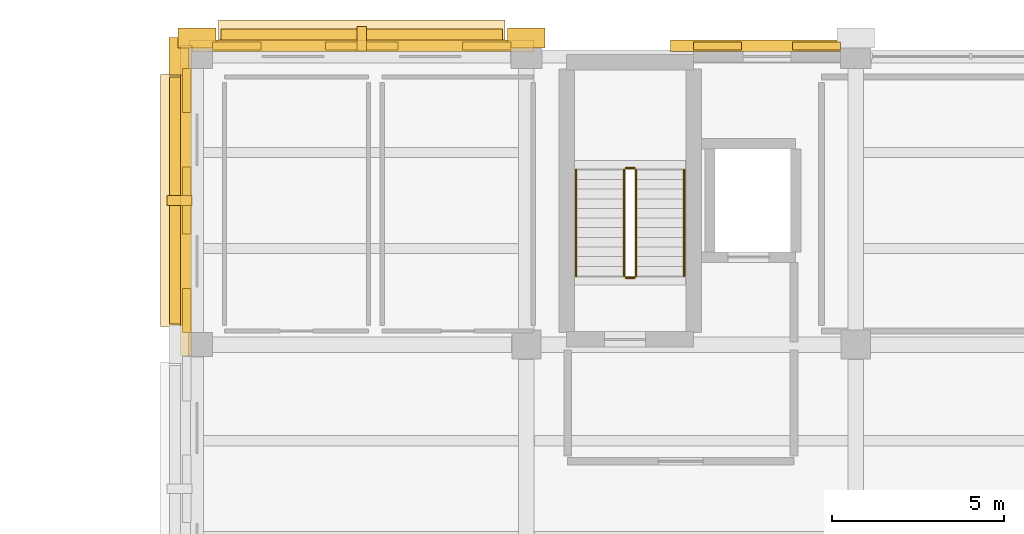
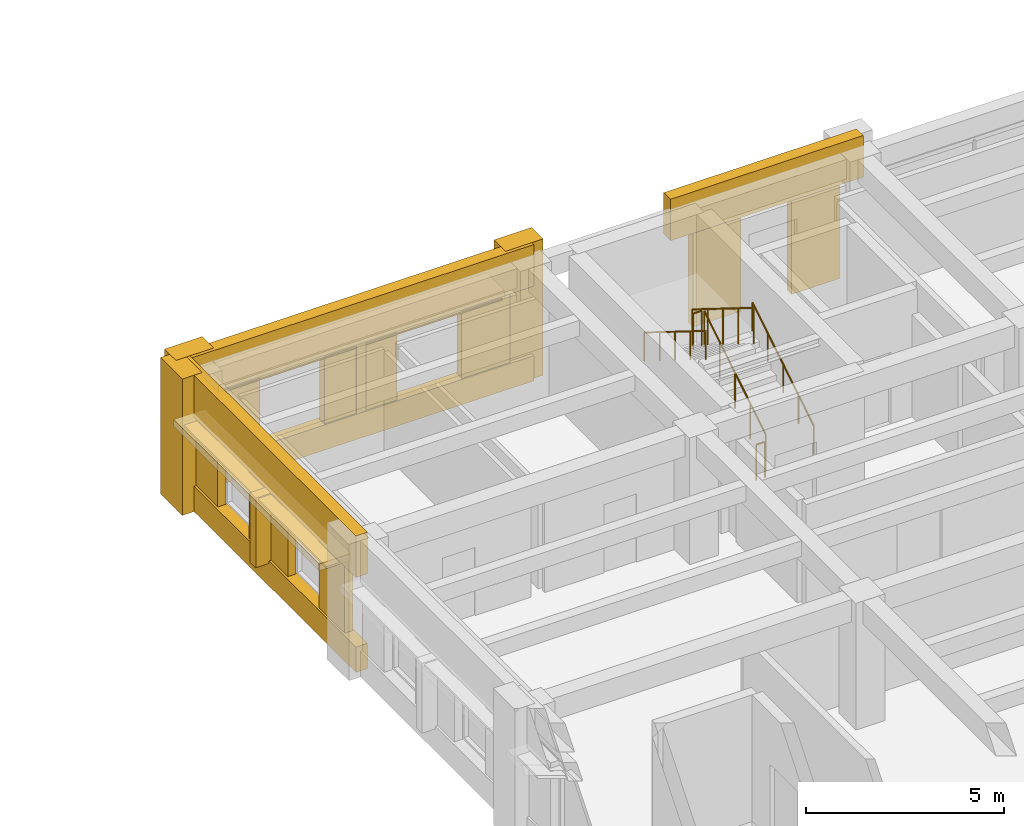
# One storey, part 68 of 71: 20 coverings, 6 railings, 2 shading devices.
"""IFC4 building model written with IfcOpenShell, lengths in metres."""

from ifc_helpers import new_model, si_unit, direction, frame, origin, origin_2d, place, context, subcontext, project, spatial, rectangle, circle, extrude, material, layer, layer_set, type_object, element, save


model = new_model("IFC4")

# Units and contexts
model_context = context("Model", 3, precision=1e-05, world=origin(), true_north=direction((0.0, 1.0)))
body_context = subcontext(model_context, "Body", "Model", "MODEL_VIEW")
ifc_project = project(units=[si_unit("LENGTHUNIT", "METRE"), si_unit("AREAUNIT", "SQUARE_METRE"), si_unit("VOLUMEUNIT", "CUBIC_METRE"), si_unit("PLANEANGLEUNIT", "RADIAN"), si_unit("MASSUNIT", "GRAM", prefix="KILO")], contexts=[model_context])

# Site, building, storey
site_placement = place(None, origin())
site = spatial("IfcSite", under=ifc_project, at=site_placement, CompositionType="ELEMENT")
building_placement = place(site_placement, origin())
building = spatial("IfcBuilding", under=site, at=building_placement, Name="Bempovik Park Faculty of Sciences", CompositionType="ELEMENT")
storey_placement = place(building_placement, frame((0.0, 0.0, 14.10009765625)))
storey = spatial("IfcBuildingStorey", under=building, at=storey_placement, Name="L03", CompositionType="ELEMENT", Elevation=14.10009765625)

# Coverings
ifc_material_1 = material(Name="Precast concrete C40/50", Category="concrete")
ifc_layer_1 = layer(ifc_material_1, 0.179931640625)
ifc_layer_set_1 = layer_set([ifc_layer_1], Name="Precast concrete C40/50")
covering_type_1 = type_object("IfcCoveringType", Name="CL-02 Classical Cornice Band 180mm", PredefinedType="CLADDING", material=ifc_layer_set_1)
covering_1_placement = place(storey_placement, frame((59.39990234375, 115.199951171875, 2.81005859375), z_axis=(0.0, 0.0, 1.0), x_axis=(1.0, 0.0, 0.0)))
element("IfcCovering", 1, at=covering_1_placement, inside=storey, type_object=covering_type_1, Name="L03 Classical Stone Solar Window Hood EW-L03-8491", PredefinedType="CLADDING", context=body_context, shape_type="SweptSolid", body=[
    extrude(rectangle(XDim=0.919921875, YDim=7.345947265625, at=origin_2d()), origin(), (0.0, 0.0, 1.0), 0.219970703125),
])
covering_2_placement = place(storey_placement, frame((64.800048828125, 120.0, 2.85986328125), z_axis=(0.0, 0.0, 1.0), x_axis=(1.0, 0.0, 0.0)))
element("IfcCovering", 2, at=covering_2_placement, inside=storey, type_object=covering_type_1, Name="L03 Classical Stone Solar Window Hood EW-L03-8503", PredefinedType="CLADDING", context=body_context, shape_type="SweptSolid", body=[
    extrude(rectangle(XDim=8.345947265625, YDim=0.919921875, at=origin_2d()), origin(), (0.0, 0.0, 1.0), 0.219970703125),
])
ifc_material_2 = material(Name="White reconstituted limestone precast C40/50", Category="masonry")
ifc_layer_2 = layer(ifc_material_2, 0.239990234375)
ifc_layer_set_2 = layer_set([ifc_layer_2], Name="White reconstituted limestone precast C40/50")
covering_type_2 = type_object("IfcCoveringType", Name="CL-03 Classical Fluted Limestone Pilaster 240mm", PredefinedType="CLADDING", material=ifc_layer_set_2)
covering_3_placement = place(storey_placement, frame((59.68994140625, 115.199951171875, 2.919921875), z_axis=(0.0, 0.0, 1.0), x_axis=(1.0, 0.0, 0.0)))
element("IfcCovering", 3, at=covering_3_placement, inside=storey, type_object=covering_type_2, Name="L03 Classical Limestone Spandrel Entablature EW-L03-8491", PredefinedType="CLADDING", context=body_context, shape_type="SweptSolid", body=[
    extrude(rectangle(XDim=0.340087890625, YDim=9.0458984375, at=origin_2d()), origin(), (0.0, 0.0, 1.0), 1.280029296875),
])
covering_4_placement = place(storey_placement, frame((59.68994140625, 115.199951171875, 0.0), z_axis=(0.0, 0.0, 1.0), x_axis=(1.0, 0.0, 0.0)))
element("IfcCovering", 4, at=covering_4_placement, inside=storey, type_object=covering_type_2, Name="L03 Classical Limestone Sill Dado EW-L03-8491", PredefinedType="CLADDING", context=body_context, shape_type="SweptSolid", body=[
    extrude(rectangle(XDim=0.340087890625, YDim=9.0458984375, at=origin_2d()), origin(), (0.0, 0.0, 1.0), 0.780029296875),
])
covering_5_placement = place(storey_placement, frame((59.469970703125, 119.39990234375, 0.0), z_axis=(0.0, 0.0, 1.0), x_axis=(1.0, 0.0, 0.0)))
element("IfcCovering", 5, at=covering_5_placement, inside=storey, type_object=covering_type_2, Name="L03 Classical Fluted Stone Pilaster PIL-BA-L03-595-1194", PredefinedType="CLADDING", context=body_context, shape_type="SweptSolid", body=[
    extrude(rectangle(XDim=0.580078125, YDim=1.10009765625, at=origin_2d()), origin(), (0.0, 0.0, 1.0), 4.199951171875),
])
covering_6_placement = place(storey_placement, frame((59.699951171875, 111.99609375, -0.000244140625), z_axis=(0.0, 0.0, 1.0), x_axis=(1.0, 0.0, 0.0)))
element("IfcCovering", 6, at=covering_6_placement, inside=storey, type_object=covering_type_2, Name="L03 White Limestone Wall Cheek EW-L03-8491-0", PredefinedType="CLADDING", context=body_context, shape_type="SweptSolid", body=[
    extrude(rectangle(XDim=0.239990234375, YDim=1.287841796875, at=origin_2d()), origin(), (0.0, 0.0, 1.0), 3.080078125),
])
covering_7_placement = place(storey_placement, frame((59.699951171875, 115.199951171875, -0.000244140625), z_axis=(0.0, 0.0, 1.0), x_axis=(1.0, 0.0, 0.0)))
element("IfcCovering", 7, at=covering_7_placement, inside=storey, type_object=covering_type_2, Name="L03 White Limestone Wall Cheek EW-L03-8491-2", PredefinedType="CLADDING", context=body_context, shape_type="SweptSolid", body=[
    extrude(rectangle(XDim=0.239990234375, YDim=1.960205078125, at=origin_2d()), origin(), (0.0, 0.0, 1.0), 3.080078125),
])
covering_8_placement = place(storey_placement, frame((59.699951171875, 118.404052734375, -0.000244140625), z_axis=(0.0, 0.0, 1.0), x_axis=(1.0, 0.0, 0.0)))
element("IfcCovering", 8, at=covering_8_placement, inside=storey, type_object=covering_type_2, Name="L03 White Limestone Wall Cheek EW-L03-8491-4", PredefinedType="CLADDING", context=body_context, shape_type="SweptSolid", body=[
    extrude(rectangle(XDim=0.239990234375, YDim=1.287841796875, at=origin_2d()), origin(), (0.0, 0.0, 1.0), 3.080078125),
])
covering_9_placement = place(storey_placement, frame((59.489990234375, 115.199951171875, 0.699951171875), z_axis=(0.0, 0.0, 1.0), x_axis=(1.0, 0.0, 0.0)))
element("IfcCovering", 9, at=covering_9_placement, inside=storey, type_object=covering_type_2, Name="L03 Classical Vertical Stone Shading Fin EW-L03-8491", PredefinedType="CLADDING", context=body_context, shape_type="SweptSolid", body=[
    extrude(rectangle(XDim=0.719970703125, YDim=0.280029296875, at=origin_2d()), origin(), (0.0, 0.0, 1.0), 2.14990234375),
])
covering_10_placement = place(storey_placement, frame((64.800048828125, 119.7099609375, 2.919921875), z_axis=(0.0, 0.0, 1.0), x_axis=(1.0, 0.0, 0.0)))
element("IfcCovering", 10, at=covering_10_placement, inside=storey, type_object=covering_type_2, Name="L03 Classical Limestone Spandrel Entablature EW-L03-8503", PredefinedType="CLADDING", context=body_context, shape_type="SweptSolid", body=[
    extrude(rectangle(XDim=10.0458984375, YDim=0.340087890625, at=origin_2d()), origin(), (0.0, 0.0, 1.0), 1.280029296875),
])
covering_11_placement = place(storey_placement, frame((64.800048828125, 119.7099609375, 0.0), z_axis=(0.0, 0.0, 1.0), x_axis=(1.0, 0.0, 0.0)))
element("IfcCovering", 11, at=covering_11_placement, inside=storey, type_object=covering_type_2, Name="L03 Classical Limestone Sill Dado EW-L03-8503", PredefinedType="CLADDING", context=body_context, shape_type="SweptSolid", body=[
    extrude(rectangle(XDim=10.0458984375, YDim=0.340087890625, at=origin_2d()), origin(), (0.0, 0.0, 1.0), 0.780029296875),
])
for number, where, z_axis, x_axis, name in (
    (12, (60.0, 119.929931640625, 0.0), (0.0, 0.0, 1.0), (1.0, 0.0, 0.0), "L03 Classical Fluted Stone Pilaster PIL-BA-L03-600-1199"),
    (13, (69.60009765625, 119.929931640625, 0.0), (0.0, 0.0, 1.0), (1.0, 0.0, 0.0), "L03 Classical Fluted Stone Pilaster PIL-BA-L03-696-1199"),
):
    element("IfcCovering", number, at=place(storey_placement, frame(where, z_axis=z_axis, x_axis=x_axis)), inside=storey, type_object=covering_type_2, Name=name, PredefinedType="CLADDING", context=body_context, shape_type="SweptSolid", body=[
        extrude(rectangle(XDim=1.10009765625, YDim=0.580078125, at=origin_2d()), origin(), (0.0, 0.0, 1.0), 4.199951171875),
    ])
covering_12_placement = place(storey_placement, frame((61.156005859375, 119.699951171875, -0.000244140625), z_axis=(0.0, 0.0, 1.0), x_axis=(1.0, 0.0, 0.0)))
element("IfcCovering", 14, at=covering_12_placement, inside=storey, type_object=covering_type_2, Name="L03 White Limestone Wall Cheek EW-L03-8503-0", PredefinedType="CLADDING", context=body_context, shape_type="SweptSolid", body=[
    extrude(rectangle(XDim=1.407958984375, YDim=0.239990234375, at=origin_2d()), origin(), (0.0, 0.0, 1.0), 3.080078125),
])
covering_13_placement = place(storey_placement, frame((64.800048828125, 119.699951171875, -0.000244140625), z_axis=(0.0, 0.0, 1.0), x_axis=(1.0, 0.0, 0.0)))
element("IfcCovering", 15, at=covering_13_placement, inside=storey, type_object=covering_type_2, Name="L03 White Limestone Wall Cheek EW-L03-8503-2", PredefinedType="CLADDING", context=body_context, shape_type="SweptSolid", body=[
    extrude(rectangle(XDim=2.1201171875, YDim=0.239990234375, at=origin_2d()), origin(), (0.0, 0.0, 1.0), 3.080078125),
])
covering_14_placement = place(storey_placement, frame((68.444091796875, 119.699951171875, -0.000244140625), z_axis=(0.0, 0.0, 1.0), x_axis=(1.0, 0.0, 0.0)))
element("IfcCovering", 16, at=covering_14_placement, inside=storey, type_object=covering_type_2, Name="L03 White Limestone Wall Cheek EW-L03-8503-4", PredefinedType="CLADDING", context=body_context, shape_type="SweptSolid", body=[
    extrude(rectangle(XDim=1.407958984375, YDim=0.239990234375, at=origin_2d()), origin(), (0.0, 0.0, 1.0), 3.080078125),
])
covering_15_placement = place(storey_placement, frame((64.800048828125, 119.909912109375, 0.69970703125), z_axis=(0.0, 0.0, 1.0), x_axis=(1.0, 0.0, 0.0)))
element("IfcCovering", 17, at=covering_15_placement, inside=storey, type_object=covering_type_2, Name="L03 Classical Vertical Stone Shading Fin EW-L03-8503", PredefinedType="CLADDING", context=body_context, shape_type="SweptSolid", body=[
    extrude(rectangle(XDim=0.280029296875, YDim=0.719970703125, at=origin_2d()), origin(), (0.0, 0.0, 1.0), 2.199951171875),
])
covering_16_placement = place(storey_placement, frame((76.612060546875, 119.7099609375, 2.919921875), z_axis=(0.0, 0.0, 1.0), x_axis=(1.0, 0.0, 0.0)))
element("IfcCovering", 18, at=covering_16_placement, inside=storey, type_object=covering_type_2, Name="L03 Classical Limestone Spandrel Entablature EW-L03-8516", PredefinedType="CLADDING", context=body_context, shape_type="SweptSolid", body=[
    extrude(rectangle(XDim=5.6220703125, YDim=0.340087890625, at=origin_2d()), origin(), (0.0, 0.0, 1.0), 1.280029296875),
])
for number, where, z_axis, x_axis, name in (
    (19, (75.174072265625, 119.699951171875, -0.000244140625), (0.0, 0.0, 1.0), (1.0, 0.0, 0.0), "L03 Stairwell White Limestone Cheek EW-L03-8516-1"),
    (20, (78.050048828125, 119.699951171875, -0.000244140625), (0.0, 0.0, 1.0), (1.0, 0.0, 0.0), "L03 Stairwell White Limestone Cheek EW-L03-8516-2"),
):
    element("IfcCovering", number, at=place(storey_placement, frame(where, z_axis=z_axis, x_axis=x_axis)), inside=storey, type_object=covering_type_2, Name=name, PredefinedType="CLADDING", context=body_context, shape_type="SweptSolid", body=[
        extrude(rectangle(XDim=1.39599609375, YDim=0.239990234375, at=origin_2d()), origin(), (0.0, 0.0, 1.0), 3.080078125),
    ])

# Railings
ifc_material_3 = material(Name="Anodised architectural bronze")
railing_type_1 = type_object("IfcRailingType", Name="GR-01 Guardrail 1120mm", PredefinedType="GUARDRAIL", material=ifc_material_3)
railing_1_placement = place(storey_placement, frame((72.800048828125, 113.0, 0.1748046875)))
element("IfcRailing", 21, at=railing_1_placement, inside=storey, type_object=railing_type_1, Name="L03 ST-1 Stair Guard 1", PredefinedType="GUARDRAIL", context=body_context, shape_type="SweptSolid", body=[
    extrude(circle(Radius=0.02392578125, at=origin_2d()), frame((0.0, 0.0, 1.09619140625), z_axis=(0.0, 0.84905059285, 0.528311547082), x_axis=(-1.0, 0.0, 0.0)), (0.0, 0.0, 1.0), 3.643798828125),
    extrude(circle(Radius=0.02099609375, at=origin_2d()), origin(), (0.0, 0.0, 1.0), 1.072021484375),
    extrude(circle(Radius=0.02099609375, at=origin_2d()), frame((0.0, 0.7734375, 0.481201171875)), (0.0, 0.0, 1.0), 1.072021484375),
    extrude(circle(Radius=0.02099609375, at=origin_2d()), frame((0.0, 1.546875, 0.96240234375)), (0.0, 0.0, 1.0), 1.072021484375),
    extrude(circle(Radius=0.02099609375, at=origin_2d()), frame((0.0, 2.3203125, 1.44384765625)), (0.0, 0.0, 1.0), 1.072021484375),
    extrude(circle(Radius=0.02099609375, at=origin_2d()), frame((0.0, 3.09375, 1.925048828125)), (0.0, 0.0, 1.0), 1.072021484375),
])
railing_2_placement = place(storey_placement, frame((72.75, 116.143798828125, 2.099853515625)))
element("IfcRailing", 22, at=railing_2_placement, inside=storey, type_object=railing_type_1, Name="L03 ST-1 Stair Guard 2", PredefinedType="GUARDRAIL", context=body_context, shape_type="SweptSolid", body=[
    extrude(circle(Radius=0.02392578125, at=origin_2d()), frame((0.0, 0.0, 1.09619140625), z_axis=(-1.0, 0.0, 0.0), x_axis=(0.0, -1.0, 0.0)), (0.0, 0.0, 1.0), 0.25),
    extrude(circle(Radius=0.02099609375, at=origin_2d()), origin(), (0.0, 0.0, 1.0), 1.072021484375),
    extrude(circle(Radius=0.02099609375, at=origin_2d()), frame((-0.25, 0.0, 0.0)), (0.0, 0.0, 1.0), 1.072021484375),
])
railing_3_placement = place(storey_placement, frame((72.449951171875, 116.09375, 2.27490234375)))
element("IfcRailing", 23, at=railing_3_placement, inside=storey, type_object=railing_type_1, Name="L03 ST-1 Stair Guard 3", PredefinedType="GUARDRAIL", context=body_context, shape_type="SweptSolid", body=[
    extrude(circle(Radius=0.02392578125, at=origin_2d()), frame((0.0, 0.0, 1.09619140625), z_axis=(0.0, -0.84905059285, 0.528311547082), x_axis=(1.0, 0.0, 0.0)), (0.0, 0.0, 1.0), 3.643798828125),
    extrude(circle(Radius=0.02099609375, at=origin_2d()), origin(), (0.0, 0.0, 1.0), 1.072021484375),
    extrude(circle(Radius=0.02099609375, at=origin_2d()), frame((0.0, -0.7734375, 0.481201171875)), (0.0, 0.0, 1.0), 1.072021484375),
    extrude(circle(Radius=0.02099609375, at=origin_2d()), frame((0.0, -1.546875, 0.96240234375)), (0.0, 0.0, 1.0), 1.072021484375),
    extrude(circle(Radius=0.02099609375, at=origin_2d()), frame((0.0, -2.3203125, 1.44384765625)), (0.0, 0.0, 1.0), 1.072021484375),
    extrude(circle(Radius=0.02099609375, at=origin_2d()), frame((0.0, -3.09375, 1.925048828125)), (0.0, 0.0, 1.0), 1.072021484375),
])
railing_4_placement = place(storey_placement, frame((72.75, 112.949951171875, 0.0)))
element("IfcRailing", 24, at=railing_4_placement, inside=storey, type_object=railing_type_1, Name="L03 ST-1 Stair Guard 4", PredefinedType="GUARDRAIL", context=body_context, shape_type="SweptSolid", body=[
    extrude(circle(Radius=0.02392578125, at=origin_2d()), frame((0.0, 0.0, 1.09619140625), z_axis=(-1.0, 0.0, 0.0), x_axis=(0.0, -1.0, 0.0)), (0.0, 0.0, 1.0), 0.25),
    extrude(circle(Radius=0.02099609375, at=origin_2d()), origin(), (0.0, 0.0, 1.0), 1.072021484375),
    extrude(circle(Radius=0.02099609375, at=origin_2d()), frame((-0.25, 0.0, 0.0)), (0.0, 0.0, 1.0), 1.072021484375),
])
railing_type_2 = type_object("IfcRailingType", Name="HR-01 Wall Handrail 900mm", PredefinedType="HANDRAIL", material=ifc_material_3)
railing_5_placement = place(storey_placement, frame((74.199951171875, 113.0, 0.1748046875)))
element("IfcRailing", 25, at=railing_5_placement, inside=storey, type_object=railing_type_2, Name="L03 ST-1 Stair Handrail 1", PredefinedType="HANDRAIL", context=body_context, shape_type="SweptSolid", body=[
    extrude(circle(Radius=0.02392578125, at=origin_2d()), frame((0.0, 0.0, 0.8759765625), z_axis=(0.0, 0.84905059285, 0.528311547082), x_axis=(-1.0, 0.0, 0.0)), (0.0, 0.0, 1.0), 3.643798828125),
    extrude(circle(Radius=0.02099609375, at=origin_2d()), origin(), (0.0, 0.0, 1.0), 0.851806640625),
    extrude(circle(Radius=0.02099609375, at=origin_2d()), frame((0.0, 0.7734375, 0.481201171875)), (0.0, 0.0, 1.0), 0.851806640625),
    extrude(circle(Radius=0.02099609375, at=origin_2d()), frame((0.0, 1.546875, 0.96240234375)), (0.0, 0.0, 1.0), 0.851806640625),
    extrude(circle(Radius=0.02099609375, at=origin_2d()), frame((0.0, 2.3203125, 1.44384765625)), (0.0, 0.0, 1.0), 0.851806640625),
    extrude(circle(Radius=0.02099609375, at=origin_2d()), frame((0.0, 3.09375, 1.925048828125)), (0.0, 0.0, 1.0), 0.851806640625),
])
railing_6_placement = place(storey_placement, frame((71.050048828125, 116.09375, 2.27490234375)))
element("IfcRailing", 26, at=railing_6_placement, inside=storey, type_object=railing_type_2, Name="L03 ST-1 Stair Handrail 2", PredefinedType="HANDRAIL", context=body_context, shape_type="SweptSolid", body=[
    extrude(circle(Radius=0.02392578125, at=origin_2d()), frame((0.0, 0.0, 0.8759765625), z_axis=(0.0, -0.84905059285, 0.528311547082), x_axis=(1.0, 0.0, 0.0)), (0.0, 0.0, 1.0), 3.643798828125),
    extrude(circle(Radius=0.02099609375, at=origin_2d()), origin(), (0.0, 0.0, 1.0), 0.851806640625),
    extrude(circle(Radius=0.02099609375, at=origin_2d()), frame((0.0, -0.7734375, 0.481201171875)), (0.0, 0.0, 1.0), 0.851806640625),
    extrude(circle(Radius=0.02099609375, at=origin_2d()), frame((0.0, -1.546875, 0.96240234375)), (0.0, 0.0, 1.0), 0.851806640625),
    extrude(circle(Radius=0.02099609375, at=origin_2d()), frame((0.0, -2.3203125, 1.44384765625)), (0.0, 0.0, 1.0), 0.851806640625),
    extrude(circle(Radius=0.02099609375, at=origin_2d()), frame((0.0, -3.09375, 1.925048828125)), (0.0, 0.0, 1.0), 0.851806640625),
])

# Shading devices
ifc_layer_3 = layer(ifc_material_3, 0.06005859375)
ifc_layer_set_3 = layer_set([ifc_layer_3], Name="Anodised architectural bronze")
shading_device_type = type_object("IfcShadingDeviceType", Name="SH-01 Bronze Brise-Soleil Fin", PredefinedType="USERDEFINED", material=ifc_layer_set_3)
shading_device_1_placement = place(storey_placement, frame((59.52001953125, 115.199951171875, 2.749755859375), z_axis=(0.0, 0.0, 1.0), x_axis=(1.0, 0.0, 0.0)))
element("IfcShadingDevice", 27, at=shading_device_1_placement, inside=storey, type_object=shading_device_type, Name="L03 Equatorial Bronze Brise-Soleil EW-L03-8491", ObjectType="BRISE SOLEIL", PredefinedType="USERDEFINED", context=body_context, shape_type="SweptSolid", body=[
    extrude(rectangle(XDim=0.64990234375, YDim=7.196044921875, at=origin_2d()), origin(), (0.0, 0.0, 1.0), 0.06005859375),
])
shading_device_2_placement = place(storey_placement, frame((64.800048828125, 119.8798828125, 2.7998046875), z_axis=(0.0, 0.0, 1.0), x_axis=(1.0, 0.0, 0.0)))
element("IfcShadingDevice", 28, at=shading_device_2_placement, inside=storey, type_object=shading_device_type, Name="L03 Equatorial Bronze Brise-Soleil EW-L03-8503", ObjectType="BRISE SOLEIL", PredefinedType="USERDEFINED", context=body_context, shape_type="SweptSolid", body=[
    extrude(rectangle(XDim=8.196044921875, YDim=0.64990234375, at=origin_2d()), origin(), (0.0, 0.0, 1.0), 0.06005859375),
])

save(model, "model.ifc")
